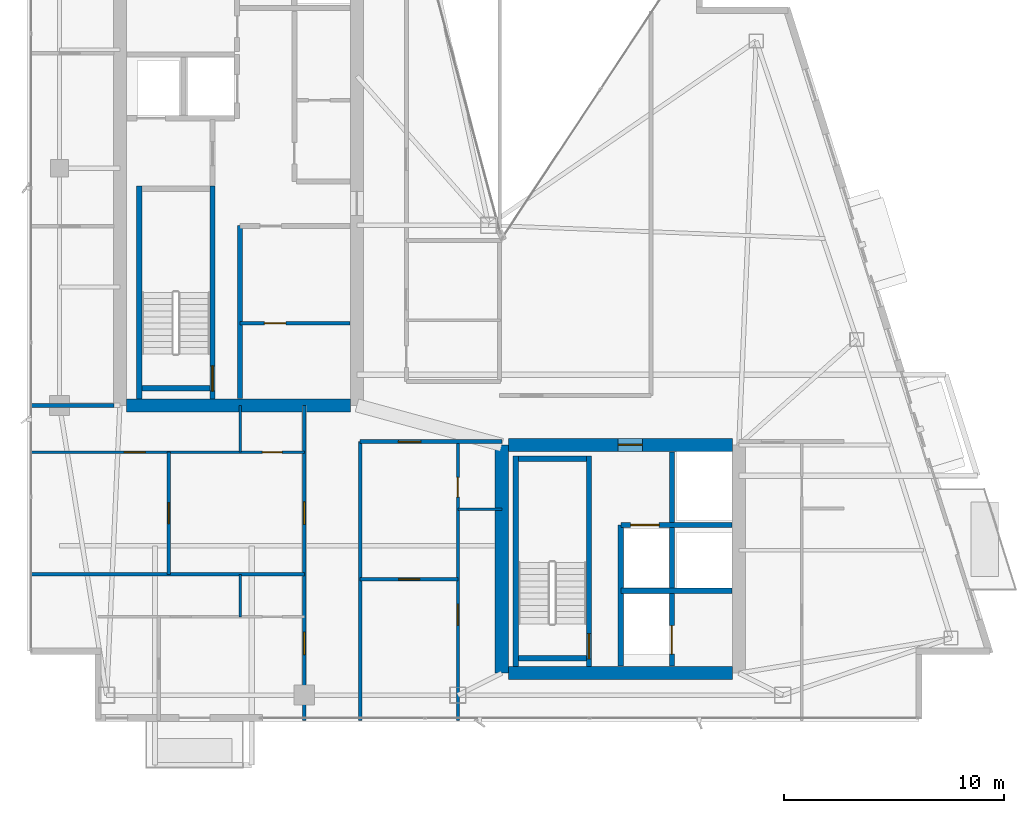
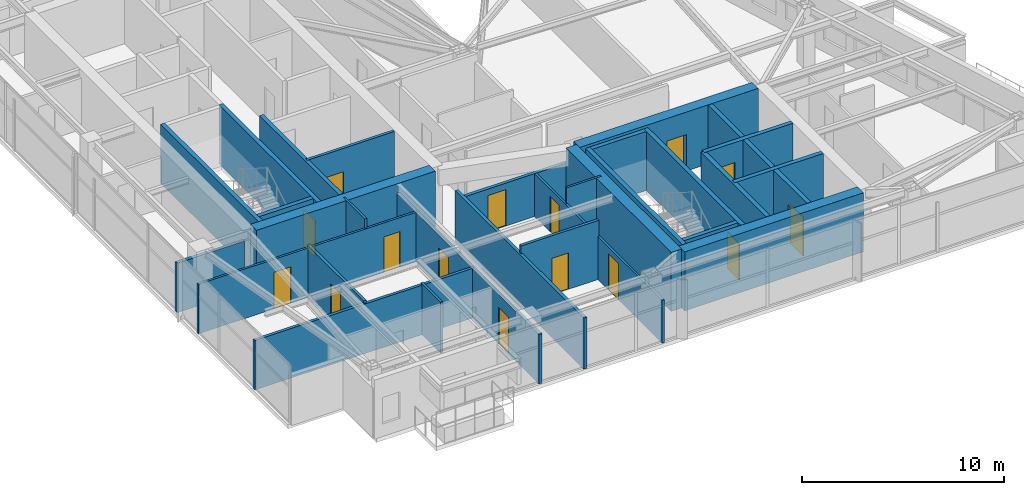
# One storey, part 23 of 28: 29 walls, 15 doors, 15 openings.
"""IFC4 building model written with IfcOpenShell, lengths in metres."""

from ifc_helpers import new_model, si_unit, direction, frame, frame_2d, origin, place, context, subcontext, project, spatial, rectangle, extrude, material, layer, layer_set, type_object, element, fill, save


model = new_model("IFC4")

# Units and contexts
model_context = context("Model", 3, precision=1e-05, world=origin(), true_north=direction((0.0, 1.0)))
body_context = subcontext(model_context, "Body", "Model", "MODEL_VIEW")
ifc_project = project(units=[si_unit("LENGTHUNIT", "METRE"), si_unit("AREAUNIT", "SQUARE_METRE"), si_unit("VOLUMEUNIT", "CUBIC_METRE"), si_unit("PLANEANGLEUNIT", "RADIAN"), si_unit("MASSUNIT", "GRAM", prefix="KILO")], contexts=[model_context])

# Site, building, storey
site_placement = place(None, origin())
site = spatial("IfcSite", under=ifc_project, at=site_placement, CompositionType="ELEMENT")
building_placement = place(site_placement, origin())
building = spatial("IfcBuilding", under=site, at=building_placement, Name="Calvorn Quay Hotel", CompositionType="ELEMENT")
storey_placement = place(building_placement, frame((0.0, 0.0, 267.300048828125)))
storey = spatial("IfcBuildingStorey", under=building, at=storey_placement, Name="L66", CompositionType="ELEMENT", Elevation=267.300048828125)

# Walls
ifc_material_1 = material(Name="Concrete C45", Category="concrete")
ifc_layer_1 = layer(ifc_material_1, 0.60009765625)
ifc_layer_set_1 = layer_set([ifc_layer_1], Name="WL-CORE-600")
wall_type_1 = type_object("IfcWallType", Name="WL-CORE-600", PredefinedType="SHEAR", material=ifc_layer_set_1)
wall_1_placement = place(storey_placement, frame((4.5, 16.800048828125, 0.0), z_axis=(0.0, 0.0, 1.0), x_axis=(1.0, 0.0, 0.0)))
element("IfcWall", 1, at=wall_1_placement, inside=storey, type_object=wall_type_1, Name="West Core Shear Wall S (L66)", PredefinedType="SHEAR", context=body_context, shape_type="SweptSolid", body=[
    extrude(rectangle(XDim=10.199951171875, YDim=0.60009765625, at=frame_2d((5.10009765625, 0.0))), origin(), (0.0, 0.0, 1.0), 3.56005859375),
])
wall_2_placement = place(storey_placement, frame((21.60009765625, 4.60009765625, 0.0), z_axis=(0.0, 0.0, 1.0), x_axis=(0.0, 1.0, 0.0)))
element("IfcWall", 2, at=wall_2_placement, inside=storey, type_object=wall_type_1, Name="East Core Shear Wall W (L66)", PredefinedType="SHEAR", context=body_context, shape_type="SweptSolid", body=[
    extrude(rectangle(XDim=10.39990234375, YDim=0.60009765625, at=frame_2d((5.199951171875, 0.0))), origin(), (0.0, 0.0, 1.0), 3.56005859375),
])

# Wall, opening, door
wall_3_placement = place(storey_placement, frame((21.89990234375, 15.0, 0.0), z_axis=(0.0, 0.0, 1.0), x_axis=(1.0, 0.0, 0.0)))
wall_3 = element("IfcWall", 3, at=wall_3_placement, inside=storey, type_object=wall_type_1, Name="East Core Shear Wall N (L66)", PredefinedType="SHEAR", context=body_context, shape_type="SweptSolid", body=[
    extrude(rectangle(XDim=10.2001953125, YDim=0.60009765625, at=frame_2d((5.10009765625, 0.0))), origin(), (0.0, 0.0, 1.0), 3.56005859375),
])
opening_1_placement = place(wall_3_placement, frame((5.0, 0.0, 0.0)))
opening_1 = element("IfcOpeningElement", 4, at=opening_1_placement, cuts=wall_3, Name="Opening D-L66-FLE", PredefinedType="OPENING", context=body_context, shape_type="SweptSolid", body=[
    extrude(rectangle(XDim=1.10009765625, YDim=2.199951171875, at=frame_2d((0.550048828125, 1.10009765625))), frame((0.0, 0.31005859375, 0.0), z_axis=(0.0, -1.0, 0.0), x_axis=(1.0, 0.0, 0.0)), (0.0, 0.0, 1.0), 0.6201171875),
])
ifc_material_2 = material(Name="Smoke-Sealed Steel Class A Fire Door", Category="steel")
door_type_1 = type_object("IfcDoorType", Name="DR-FFLOBBY-1100", OperationType="NOTDEFINED", PredefinedType="DOOR", material=ifc_material_2)
door_1_placement = place(opening_1_placement, origin())
door_1 = element("IfcDoor", 5, at=door_1_placement, inside=storey, type_object=door_type_1, Name="East Firefighting Lobby Fire Door (L66)", OperationType="SINGLE_SWING_RIGHT", OverallHeight=2.199951171875, OverallWidth=1.10009765625, PredefinedType="DOOR", context=body_context, shape_type="SweptSolid", body=[
    extrude(rectangle(XDim=1.10009765625, YDim=2.199951171875, at=frame_2d((0.550048828125, 1.10009765625))), frame((0.0, 0.02490234375, 0.0), z_axis=(0.0, -1.0, 0.0), x_axis=(1.0, 0.0, 0.0)), (0.0, 0.0, 1.0), 0.050048828125),
])
fill(opening_1, door_1)

# Walls
wall_4_placement = place(storey_placement, frame((21.89990234375, 4.60009765625, 0.0), z_axis=(0.0, 0.0, 1.0), x_axis=(1.0, 0.0, 0.0)))
element("IfcWall", 6, at=wall_4_placement, inside=storey, type_object=wall_type_1, Name="East Core Shear Wall S (L66)", PredefinedType="SHEAR", context=body_context, shape_type="SweptSolid", body=[
    extrude(rectangle(XDim=10.2001953125, YDim=0.60009765625, at=frame_2d((5.10009765625, 0.0))), origin(), (0.0, 0.0, 1.0), 3.56005859375),
])
ifc_material_3 = material(Name="Acoustic Fireboard Steel-Stud Partition", Category="steel")
ifc_layer_2 = layer(ifc_material_3, 0.179931640625)
ifc_layer_set_2 = layer_set([ifc_layer_2], Name="WL-CORR-FIRE-180")
wall_type_2 = type_object("IfcWallType", Name="WL-CORR-FIRE-180", PredefinedType="PARTITIONING", material=ifc_layer_set_2)
wall_5_placement = place(storey_placement, frame((0.080078125, 16.800048828125, 0.0), z_axis=(0.0, 0.0, 1.0), x_axis=(1.0, 0.0, 0.0)))
element("IfcWall", 7, at=wall_5_placement, inside=storey, type_object=wall_type_2, Name="Partition Wall L66-WL-WBAY-S-WALL", PredefinedType="PARTITIONING", context=body_context, shape_type="SweptSolid", body=[
    extrude(rectangle(XDim=3.849853515625, YDim=0.179931640625, at=frame_2d((1.9248046875, 0.0))), origin(), (0.0, 0.0, 1.0), 2.989990234375),
])

# Wall, openings, doors
wall_6_placement = place(storey_placement, frame((12.60009765625, 2.43994140625, 0.0), z_axis=(0.0, 0.0, 1.0), x_axis=(0.0, 1.0, 0.0)))
wall_6 = element("IfcWall", 8, at=wall_6_placement, inside=storey, type_object=wall_type_2, Name="Partition Wall L66-WL-CORR-SW-LEG-W", PredefinedType="PARTITIONING", context=body_context, shape_type="SweptSolid", body=[
    extrude(rectangle(XDim=14.360107421875, YDim=0.179931640625, at=frame_2d((7.18017578125, 0.0))), origin(), (0.0, 0.0, 1.0), 2.989990234375),
])
opening_2_placement = place(wall_6_placement, frame((3.010009765625, 0.0, 0.0)))
opening_2 = element("IfcOpeningElement", 9, at=opening_2_placement, cuts=wall_6, Name="Opening D-L66-U01", PredefinedType="OPENING", context=body_context, shape_type="SweptSolid", body=[
    extrude(rectangle(XDim=1.02001953125, YDim=2.199951171875, at=frame_2d((0.510009765625, 1.10009765625))), frame((0.0, 0.099853515625, 0.0), z_axis=(0.0, -1.0, 0.0), x_axis=(1.0, 0.0, 0.0)), (0.0, 0.0, 1.0), 0.199951171875),
])
opening_3_placement = place(wall_6_placement, frame((8.93994140625, 0.0, 0.0)))
opening_3 = element("IfcOpeningElement", 10, at=opening_3_placement, cuts=wall_6, Name="Opening D-L66-U02", PredefinedType="OPENING", context=body_context, shape_type="SweptSolid", body=[
    extrude(rectangle(XDim=1.02001953125, YDim=2.199951171875, at=frame_2d((0.510009765625, 1.10009765625))), frame((0.0, 0.099853515625, 0.0), z_axis=(0.0, -1.0, 0.0), x_axis=(1.0, 0.0, 0.0)), (0.0, 0.0, 1.0), 0.199951171875),
])
ifc_material_4 = material(Name="Solid-Core Walnut Veneer Hotel Fire Door")
door_type_2 = type_object("IfcDoorType", Name="DR-GUEST-ENTRY-1020", OperationType="NOTDEFINED", PredefinedType="DOOR", material=ifc_material_4)
door_2_placement = place(opening_2_placement, origin())
door_2 = element("IfcDoor", 11, at=door_2_placement, inside=storey, type_object=door_type_2, Name="South-West Unit Door U01 (L66)", OperationType="SINGLE_SWING_LEFT", OverallHeight=2.199951171875, OverallWidth=1.02001953125, PredefinedType="DOOR", context=body_context, shape_type="SweptSolid", body=[
    extrude(rectangle(XDim=1.02001953125, YDim=2.199951171875, at=frame_2d((0.510009765625, 1.10009765625))), frame((0.0, 0.02490234375, 0.0), z_axis=(0.0, -1.0, 0.0), x_axis=(1.0, 0.0, 0.0)), (0.0, 0.0, 1.0), 0.050048828125),
])
fill(opening_2, door_2)
door_3_placement = place(opening_3_placement, origin())
door_3 = element("IfcDoor", 12, at=door_3_placement, inside=storey, type_object=door_type_2, Name="South-West Unit Door U02 (L66)", OperationType="SINGLE_SWING_RIGHT", OverallHeight=2.199951171875, OverallWidth=1.02001953125, PredefinedType="DOOR", context=body_context, shape_type="SweptSolid", body=[
    extrude(rectangle(XDim=1.02001953125, YDim=2.199951171875, at=frame_2d((0.510009765625, 1.10009765625))), frame((0.0, 0.02490234375, 0.0), z_axis=(0.0, -1.0, 0.0), x_axis=(1.0, 0.0, 0.0)), (0.0, 0.0, 1.0), 0.050048828125),
])
fill(opening_3, door_3)

# Wall
wall_7_placement = place(storey_placement, frame((15.14990234375, 2.43994140625, 0.0), z_axis=(0.0, 0.0, 1.0), x_axis=(0.0, 1.0, 0.0)))
element("IfcWall", 13, at=wall_7_placement, inside=storey, type_object=wall_type_2, Name="Partition Wall L66-WL-CORR-SW-W", PredefinedType="PARTITIONING", context=body_context, shape_type="SweptSolid", body=[
    extrude(rectangle(XDim=12.7099609375, YDim=0.179931640625, at=frame_2d((6.35498046875, 0.0))), origin(), (0.0, 0.0, 1.0), 3.08984375),
])

# Wall, opening, door
wall_8_placement = place(storey_placement, frame((15.14990234375, 15.14990234375, 0.0), z_axis=(0.0, 0.0, 1.0), x_axis=(1.0, 0.0, 0.0)))
wall_8 = element("IfcWall", 14, at=wall_8_placement, inside=storey, type_object=wall_type_2, Name="Partition Wall L66-WL-SC-CORR-S", PredefinedType="PARTITIONING", context=body_context, shape_type="SweptSolid", body=[
    extrude(rectangle(XDim=6.4501953125, YDim=0.179931640625, at=frame_2d((3.22509765625, 0.0))), origin(), (0.0, 0.0, 1.0), 2.58984375),
])
opening_4_placement = place(wall_8_placement, frame((1.739990234375, 0.0, 0.0)))
opening_4 = element("IfcOpeningElement", 15, at=opening_4_placement, cuts=wall_8, Name="Opening D-L66-U03", PredefinedType="OPENING", context=body_context, shape_type="SweptSolid", body=[
    extrude(rectangle(XDim=1.02001953125, YDim=2.199951171875, at=frame_2d((0.510009765625, 1.10009765625))), frame((0.0, 0.099853515625, 0.0), z_axis=(0.0, -1.0, 0.0), x_axis=(1.0, 0.0, 0.0)), (0.0, 0.0, 1.0), 0.199951171875),
])
door_4_placement = place(opening_4_placement, origin())
door_4 = element("IfcDoor", 16, at=door_4_placement, inside=storey, type_object=door_type_2, Name="Harbour Central Unit Door (L66)", OperationType="SINGLE_SWING_LEFT", OverallHeight=2.199951171875, OverallWidth=1.02001953125, PredefinedType="DOOR", context=body_context, shape_type="SweptSolid", body=[
    extrude(rectangle(XDim=1.02001953125, YDim=2.199951171875, at=frame_2d((0.510009765625, 1.10009765625))), frame((0.0, 0.02490234375, 0.0), z_axis=(0.0, -1.0, 0.0), x_axis=(1.0, 0.0, 0.0)), (0.0, 0.0, 1.0), 0.050048828125),
])
fill(opening_4, door_4)

# Walls
ifc_material_5 = material(Name="Moisture-Resistant Tile-Backed Partition")
ifc_layer_3 = layer(ifc_material_5, 0.125)
ifc_layer_set_3 = layer_set([ifc_layer_3], Name="WL-ENSUITE-125")
wall_type_3 = type_object("IfcWallType", Name="WL-ENSUITE-125", PredefinedType="PARTITIONING", material=ifc_layer_set_3)
wall_9_placement = place(storey_placement, frame((9.679931640625, 7.169921875, 0.0), z_axis=(0.0, 0.0, 1.0), x_axis=(0.0, 1.0, 0.0)))
element("IfcWall", 17, at=wall_9_placement, inside=storey, type_object=wall_type_3, Name="Partition Wall L66-WL-U01-BDV", PredefinedType="PARTITIONING", context=body_context, shape_type="SweptSolid", body=[
    extrude(rectangle(XDim=1.93017578125, YDim=0.125, at=frame_2d((0.965087890625, 0.0))), origin(), (0.0, 0.0, 1.0), 3.08984375),
])
wall_10_placement = place(storey_placement, frame((9.679931640625, 14.669921875, 0.0), z_axis=(0.0, 0.0, 1.0), x_axis=(0.0, 1.0, 0.0)))
element("IfcWall", 18, at=wall_10_placement, inside=storey, type_object=wall_type_3, Name="Partition Wall L66-WL-U02-BDV", PredefinedType="PARTITIONING", context=body_context, shape_type="SweptSolid", body=[
    extrude(rectangle(XDim=2.130126953125, YDim=0.125, at=frame_2d((1.06494140625, 0.0))), origin(), (0.0, 0.0, 1.0), 3.56005859375),
])

# Wall, openings, doors
wall_11_placement = place(storey_placement, frame((0.080078125, 14.669921875, 0.0), z_axis=(0.0, 0.0, 1.0), x_axis=(1.0, 0.0, 0.0)))
wall_11 = element("IfcWall", 19, at=wall_11_placement, inside=storey, type_object=wall_type_3, Name="Partition Wall L66-WL-U02-BH", PredefinedType="PARTITIONING", context=body_context, shape_type="SweptSolid", body=[
    extrude(rectangle(XDim=12.52001953125, YDim=0.125, at=frame_2d((6.260009765625, 0.0))), origin(), (0.0, 0.0, 1.0), 2.989990234375),
])
opening_5_placement = place(wall_11_placement, frame((4.320068359375, 0.0, 0.0)))
opening_5 = element("IfcOpeningElement", 20, at=opening_5_placement, cuts=wall_11, Name="Opening D-L66-S02", PredefinedType="OPENING", context=body_context, shape_type="SweptSolid", body=[
    extrude(rectangle(XDim=0.9599609375, YDim=2.199951171875, at=frame_2d((0.47998046875, 1.10009765625))), frame((0.0, 0.072509765625, 0.0), z_axis=(0.0, -1.0, 0.0), x_axis=(1.0, 0.0, 0.0)), (0.0, 0.0, 1.0), 0.14501953125),
])
opening_6_placement = place(wall_11_placement, frame((10.610107421875, 0.0, 0.0)))
opening_6 = element("IfcOpeningElement", 21, at=opening_6_placement, cuts=wall_11, Name="Opening D-L66-E02", PredefinedType="OPENING", context=body_context, shape_type="SweptSolid", body=[
    extrude(rectangle(XDim=0.89990234375, YDim=2.14990234375, at=frame_2d((0.449951171875, 1.074951171875))), frame((0.0, 0.072509765625, 0.0), z_axis=(0.0, -1.0, 0.0), x_axis=(1.0, 0.0, 0.0)), (0.0, 0.0, 1.0), 0.14501953125),
])
ifc_material_6 = material(Name="Moisture-Sealed Timber En-Suite Door", Category="wood")
door_type_3 = type_object("IfcDoorType", Name="DR-ENSUITE-900", OperationType="NOTDEFINED", PredefinedType="DOOR", material=ifc_material_6)
door_5_placement = place(opening_6_placement, origin())
door_5 = element("IfcDoor", 22, at=door_5_placement, inside=storey, type_object=door_type_3, Name="En-Suite Door 02", OperationType="SINGLE_SWING_RIGHT", OverallHeight=2.14990234375, OverallWidth=0.89990234375, PredefinedType="DOOR", context=body_context, shape_type="SweptSolid", body=[
    extrude(rectangle(XDim=0.89990234375, YDim=2.14990234375, at=frame_2d((0.449951171875, 1.074951171875))), frame((0.0, 0.02490234375, 0.0), z_axis=(0.0, -1.0, 0.0), x_axis=(1.0, 0.0, 0.0)), (0.0, 0.0, 1.0), 0.050048828125),
])
fill(opening_6, door_5)
ifc_material_7 = material(Name="Solid Timber Internal Suite Door", Category="wood")
door_type_4 = type_object("IfcDoorType", Name="DR-SUITE-INT-960", OperationType="NOTDEFINED", PredefinedType="DOOR", material=ifc_material_7)
door_6_placement = place(opening_5_placement, origin())
door_6 = element("IfcDoor", 23, at=door_6_placement, inside=storey, type_object=door_type_4, Name="Harbour Dining Den Door 02", OperationType="SINGLE_SWING_LEFT", OverallHeight=2.199951171875, OverallWidth=0.9599609375, PredefinedType="DOOR", context=body_context, shape_type="SweptSolid", body=[
    extrude(rectangle(XDim=0.9599609375, YDim=2.199951171875, at=frame_2d((0.47998046875, 1.10009765625))), frame((0.0, 0.02490234375, 0.0), z_axis=(0.0, -1.0, 0.0), x_axis=(1.0, 0.0, 0.0)), (0.0, 0.0, 1.0), 0.050048828125),
])
fill(opening_5, door_6)

# Wall
wall_12_placement = place(storey_placement, frame((19.60009765625, 12.070068359375, 0.0), z_axis=(0.0, 0.0, 1.0), x_axis=(1.0, 0.0, 0.0)))
element("IfcWall", 24, at=wall_12_placement, inside=storey, type_object=wall_type_3, Name="Partition Wall L66-WL-U03-BDV", PredefinedType="PARTITIONING", context=body_context, shape_type="SweptSolid", body=[
    extrude(rectangle(XDim=2.0, YDim=0.125, at=frame_2d((1.0, 0.0))), origin(), (0.0, 0.0, 1.0), 3.56005859375),
])

# Wall, openings, doors
wall_13_placement = place(storey_placement, frame((19.60009765625, 2.43994140625, 0.0), z_axis=(0.0, 0.0, 1.0), x_axis=(0.0, 1.0, 0.0)))
wall_13 = element("IfcWall", 25, at=wall_13_placement, inside=storey, type_object=wall_type_3, Name="Partition Wall L66-WL-U03-BV", PredefinedType="PARTITIONING", context=body_context, shape_type="SweptSolid", body=[
    extrude(rectangle(XDim=12.7099609375, YDim=0.125, at=frame_2d((6.35498046875, 0.0))), origin(), (0.0, 0.0, 1.0), 2.58984375),
])
opening_7_placement = place(wall_13_placement, frame((4.340087890625, 0.0, 0.0)))
opening_7 = element("IfcOpeningElement", 26, at=opening_7_placement, cuts=wall_13, Name="Opening D-L66-S03", PredefinedType="OPENING", context=body_context, shape_type="SweptSolid", body=[
    extrude(rectangle(XDim=0.9599609375, YDim=2.199951171875, at=frame_2d((0.47998046875, 1.10009765625))), frame((0.0, 0.072509765625, 0.0), z_axis=(0.0, -1.0, 0.0), x_axis=(1.0, 0.0, 0.0)), (0.0, 0.0, 1.0), 0.14501953125),
])
opening_8_placement = place(wall_13_placement, frame((10.179931640625, 0.0, 0.0)))
opening_8 = element("IfcOpeningElement", 27, at=opening_8_placement, cuts=wall_13, Name="Opening D-L66-E03", PredefinedType="OPENING", context=body_context, shape_type="SweptSolid", body=[
    extrude(rectangle(XDim=0.89990234375, YDim=2.14990234375, at=frame_2d((0.449951171875, 1.074951171875))), frame((0.0, 0.072509765625, 0.0), z_axis=(0.0, -1.0, 0.0), x_axis=(1.0, 0.0, 0.0)), (0.0, 0.0, 1.0), 0.14501953125),
])
door_7_placement = place(opening_8_placement, origin())
door_7 = element("IfcDoor", 28, at=door_7_placement, inside=storey, type_object=door_type_3, Name="En-Suite Door 03", OperationType="SINGLE_SWING_RIGHT", OverallHeight=2.14990234375, OverallWidth=0.89990234375, PredefinedType="DOOR", context=body_context, shape_type="SweptSolid", body=[
    extrude(rectangle(XDim=0.89990234375, YDim=2.14990234375, at=frame_2d((0.449951171875, 1.074951171875))), frame((0.0, 0.02490234375, 0.0), z_axis=(0.0, -1.0, 0.0), x_axis=(1.0, 0.0, 0.0)), (0.0, 0.0, 1.0), 0.050048828125),
])
fill(opening_8, door_7)
door_8_placement = place(opening_7_placement, origin())
door_8 = element("IfcDoor", 29, at=door_8_placement, inside=storey, type_object=door_type_4, Name="Harbour Dining Den Door 03", OperationType="SINGLE_SWING_LEFT", OverallHeight=2.199951171875, OverallWidth=0.9599609375, PredefinedType="DOOR", context=body_context, shape_type="SweptSolid", body=[
    extrude(rectangle(XDim=0.9599609375, YDim=2.199951171875, at=frame_2d((0.47998046875, 1.10009765625))), frame((0.0, 0.02490234375, 0.0), z_axis=(0.0, -1.0, 0.0), x_axis=(1.0, 0.0, 0.0)), (0.0, 0.0, 1.0), 0.050048828125),
])
fill(opening_7, door_8)

# Wall, opening, door
ifc_material_8 = material(Name="Double-Stud Acoustic Gypsum Partition")
ifc_layer_4 = layer(ifc_material_8, 0.159912109375)
ifc_layer_set_4 = layer_set([ifc_layer_4], Name="WL-INTERSUITE-160")
wall_type_4 = type_object("IfcWallType", Name="WL-INTERSUITE-160", PredefinedType="PARTITIONING", material=ifc_layer_set_4)
wall_14_placement = place(storey_placement, frame((9.679931640625, 20.550048828125, 0.0), z_axis=(0.0, 0.0, 1.0), x_axis=(1.0, 0.0, 0.0)))
wall_14 = element("IfcWall", 30, at=wall_14_placement, inside=storey, type_object=wall_type_4, Name="Partition Wall L66-WL-CWW-FR-SPLIT", PredefinedType="PARTITIONING", context=body_context, shape_type="SweptSolid", body=[
    extrude(rectangle(XDim=5.0, YDim=0.159912109375, at=frame_2d((2.5, 0.0))), origin(), (0.0, 0.0, 1.0), 3.56005859375),
])
opening_9_placement = place(wall_14_placement, frame((1.10009765625, 0.0, 0.0)))
opening_9 = element("IfcOpeningElement", 31, at=opening_9_placement, cuts=wall_14, Name="Opening D-L66-FRL1", PredefinedType="OPENING", context=body_context, shape_type="SweptSolid", body=[
    extrude(rectangle(XDim=0.97998046875, YDim=2.14990234375, at=frame_2d((0.489990234375, 1.074951171875))), frame((0.0, 0.08984375, 0.0), z_axis=(0.0, -1.0, 0.0), x_axis=(1.0, 0.0, 0.0)), (0.0, 0.0, 1.0), 0.179931640625),
])
ifc_material_9 = material(Name="Painted Steel Housekeeping/Riser Fire Door", Category="steel")
door_type_5 = type_object("IfcDoorType", Name="DR-SERVICE-980", OperationType="NOTDEFINED", PredefinedType="DOOR", material=ifc_material_9)
door_9_placement = place(opening_9_placement, origin())
door_9 = element("IfcDoor", 32, at=door_9_placement, inside=storey, type_object=door_type_5, Name="Linen Store Room Door (L66)", OperationType="SINGLE_SWING_LEFT", OverallHeight=2.14990234375, OverallWidth=0.97998046875, PredefinedType="DOOR", context=body_context, shape_type="SweptSolid", body=[
    extrude(rectangle(XDim=0.97998046875, YDim=2.14990234375, at=frame_2d((0.489990234375, 1.074951171875))), frame((0.0, 0.02490234375, 0.0), z_axis=(0.0, -1.0, 0.0), x_axis=(1.0, 0.0, 0.0)), (0.0, 0.0, 1.0), 0.050048828125),
])
fill(opening_9, door_9)

wall_15_placement = place(storey_placement, frame((6.419921875, 9.10009765625, 0.0), z_axis=(0.0, 0.0, 1.0), x_axis=(0.0, 1.0, 0.0)))
wall_15 = element("IfcWall", 33, at=wall_15_placement, inside=storey, type_object=wall_type_4, Name="Partition Wall L66-WL-U02-MSP", PredefinedType="PARTITIONING", context=body_context, shape_type="SweptSolid", body=[
    extrude(rectangle(XDim=5.56982421875, YDim=0.159912109375, at=frame_2d((2.784912109375, 0.0))), origin(), (0.0, 0.0, 1.0), 3.139892578125),
])
opening_10_placement = place(wall_15_placement, frame((2.31005859375, 0.0, 0.0)))
opening_10 = element("IfcOpeningElement", 34, at=opening_10_placement, cuts=wall_15, Name="Opening D-L66-M02", PredefinedType="OPENING", context=body_context, shape_type="SweptSolid", body=[
    extrude(rectangle(XDim=0.9599609375, YDim=2.199951171875, at=frame_2d((0.47998046875, 1.10009765625))), frame((0.0, 0.08984375, 0.0), z_axis=(0.0, -1.0, 0.0), x_axis=(1.0, 0.0, 0.0)), (0.0, 0.0, 1.0), 0.179931640625),
])
door_10_placement = place(opening_10_placement, origin())
door_10 = element("IfcDoor", 35, at=door_10_placement, inside=storey, type_object=door_type_4, Name="Suite Bedroom Door 02", OperationType="SINGLE_SWING_LEFT", OverallHeight=2.199951171875, OverallWidth=0.9599609375, PredefinedType="DOOR", context=body_context, shape_type="SweptSolid", body=[
    extrude(rectangle(XDim=0.9599609375, YDim=2.199951171875, at=frame_2d((0.47998046875, 1.10009765625))), frame((0.0, 0.02490234375, 0.0), z_axis=(0.0, -1.0, 0.0), x_axis=(1.0, 0.0, 0.0)), (0.0, 0.0, 1.0), 0.050048828125),
])
fill(opening_10, door_10)

# Wall
wall_16_placement = place(storey_placement, frame((0.080078125, 9.10009765625, 0.0), z_axis=(0.0, 0.0, 1.0), x_axis=(1.0, 0.0, 0.0)))
element("IfcWall", 36, at=wall_16_placement, inside=storey, type_object=wall_type_4, Name="Partition Wall L66-WL-SW-DIV-1", PredefinedType="PARTITIONING", context=body_context, shape_type="SweptSolid", body=[
    extrude(rectangle(XDim=12.52001953125, YDim=0.159912109375, at=frame_2d((6.260009765625, 0.0))), origin(), (0.0, 0.0, 1.0), 2.989990234375),
])

# Wall, opening, door
wall_17_placement = place(storey_placement, frame((15.14990234375, 8.8701171875, 0.0), z_axis=(0.0, 0.0, 1.0), x_axis=(1.0, 0.0, 0.0)))
wall_17 = element("IfcWall", 37, at=wall_17_placement, inside=storey, type_object=wall_type_4, Name="Partition Wall L66-WL-U03-MSP", PredefinedType="PARTITIONING", context=body_context, shape_type="SweptSolid", body=[
    extrude(rectangle(XDim=4.4501953125, YDim=0.159912109375, at=frame_2d((2.22509765625, 0.0))), origin(), (0.0, 0.0, 1.0), 3.56005859375),
])
opening_11_placement = place(wall_17_placement, frame((1.75, 0.0, 0.0)))
opening_11 = element("IfcOpeningElement", 38, at=opening_11_placement, cuts=wall_17, Name="Opening D-L66-M03", PredefinedType="OPENING", context=body_context, shape_type="SweptSolid", body=[
    extrude(rectangle(XDim=0.9599609375, YDim=2.199951171875, at=frame_2d((0.47998046875, 1.10009765625))), frame((0.0, 0.08984375, 0.0), z_axis=(0.0, -1.0, 0.0), x_axis=(1.0, 0.0, 0.0)), (0.0, 0.0, 1.0), 0.179931640625),
])
door_11_placement = place(opening_11_placement, origin())
door_11 = element("IfcDoor", 39, at=door_11_placement, inside=storey, type_object=door_type_4, Name="Suite Bedroom Door 03", OperationType="SINGLE_SWING_LEFT", OverallHeight=2.199951171875, OverallWidth=0.9599609375, PredefinedType="DOOR", context=body_context, shape_type="SweptSolid", body=[
    extrude(rectangle(XDim=0.9599609375, YDim=2.199951171875, at=frame_2d((0.47998046875, 1.10009765625))), frame((0.0, 0.02490234375, 0.0), z_axis=(0.0, -1.0, 0.0), x_axis=(1.0, 0.0, 0.0)), (0.0, 0.0, 1.0), 0.050048828125),
])
fill(opening_11, door_11)

# Walls
ifc_material_10 = material(Name="Autoclaved Aerated Masonry Block", Category="masonry")
ifc_layer_5 = layer(ifc_material_10, 0.219970703125)
ifc_layer_set_5 = layer_set([ifc_layer_5], Name="WL-LOBBY-FIRE-220")
wall_type_5 = type_object("IfcWallType", Name="WL-LOBBY-FIRE-220", PredefinedType="SOLIDWALL", material=ifc_layer_set_5)
wall_18_placement = place(storey_placement, frame((9.679931640625, 17.1201171875, 0.0), z_axis=(0.0, 0.0, 1.0), x_axis=(0.0, 1.0, 0.0)))
element("IfcWall", 40, at=wall_18_placement, inside=storey, type_object=wall_type_5, Name="Partition Wall L66-WL-CWW-STW-HALL-E", PredefinedType="SOLIDWALL", context=body_context, shape_type="SweptSolid", body=[
    extrude(rectangle(XDim=7.8798828125, YDim=0.219970703125, at=frame_2d((3.93994140625, 0.0))), origin(), (0.0, 0.0, 1.0), 3.56005859375),
])
ifc_material_11 = material(Name="Concrete C40", Category="concrete")
ifc_layer_6 = layer(ifc_material_11, 0.239990234375)
ifc_layer_set_6 = layer_set([ifc_layer_6], Name="WL-SHAFT-240")
wall_type_6 = type_object("IfcWallType", Name="WL-SHAFT-240", PredefinedType="SOLIDWALL", material=ifc_layer_set_6)
wall_19_placement = place(storey_placement, frame((5.080078125, 17.10009765625, 0.0), z_axis=(0.0, 0.0, 1.0), x_axis=(0.0, 1.0, 0.0)))
element("IfcWall", 41, at=wall_19_placement, inside=storey, type_object=wall_type_6, Name="Stair STW Shaft Wall W (L66)", PredefinedType="SOLIDWALL", context=body_context, shape_type="SweptSolid", body=[
    extrude(rectangle(XDim=9.68994140625, YDim=0.239990234375, at=frame_2d((4.844970703125, 0.0))), origin(), (0.0, 0.0, 1.0), 3.56005859375),
])

# Wall, opening, door
wall_20_placement = place(storey_placement, frame((8.419921875, 17.10009765625, 0.0), z_axis=(0.0, 0.0, 1.0), x_axis=(0.0, 1.0, 0.0)))
wall_20 = element("IfcWall", 42, at=wall_20_placement, inside=storey, type_object=wall_type_6, Name="Stair STW Shaft Wall E (L66)", PredefinedType="SOLIDWALL", context=body_context, shape_type="SweptSolid", body=[
    extrude(rectangle(XDim=9.68994140625, YDim=0.239990234375, at=frame_2d((4.844970703125, 0.0))), origin(), (0.0, 0.0, 1.0), 3.56005859375),
])
opening_12_placement = place(wall_20_placement, frame((0.35009765625, 0.0, 0.0)))
opening_12 = element("IfcOpeningElement", 43, at=opening_12_placement, cuts=wall_20, Name="Opening D-L66-STW", PredefinedType="OPENING", context=body_context, shape_type="SweptSolid", body=[
    extrude(rectangle(XDim=1.14990234375, YDim=2.199951171875, at=frame_2d((0.574951171875, 1.10009765625))), frame((0.0, 0.1298828125, 0.0), z_axis=(0.0, -1.0, 0.0), x_axis=(1.0, 0.0, 0.0)), (0.0, 0.0, 1.0), 0.260009765625),
])
ifc_material_12 = material(Name="Galvanised Steel Class A Fire Door", Category="steel")
door_type_6 = type_object("IfcDoorType", Name="DR-STAIR-SMOKE-1150", OperationType="NOTDEFINED", PredefinedType="DOOR", material=ifc_material_12)
door_12_placement = place(opening_12_placement, origin())
door_12 = element("IfcDoor", 44, at=door_12_placement, inside=storey, type_object=door_type_6, Name="Stair ST-W Fire Door (L66)", OperationType="SINGLE_SWING_LEFT", OverallHeight=2.199951171875, OverallWidth=1.14990234375, PredefinedType="DOOR", context=body_context, shape_type="SweptSolid", body=[
    extrude(rectangle(XDim=1.14990234375, YDim=2.199951171875, at=frame_2d((0.574951171875, 1.10009765625))), frame((0.0, 0.02490234375, 0.0), z_axis=(0.0, -1.0, 0.0), x_axis=(1.0, 0.0, 0.0)), (0.0, 0.0, 1.0), 0.050048828125),
])
fill(opening_12, door_12)

# Walls
wall_21_placement = place(storey_placement, frame((5.199951171875, 17.580078125, 0.0), z_axis=(0.0, 0.0, 1.0), x_axis=(1.0, 0.0, 0.0)))
element("IfcWall", 45, at=wall_21_placement, inside=storey, type_object=wall_type_6, Name="Stair STW Shaft Wall S (L66)", PredefinedType="SOLIDWALL", context=body_context, shape_type="SweptSolid", body=[
    extrude(rectangle(XDim=3.10009765625, YDim=0.239990234375, at=frame_2d((1.550048828125, 0.0))), origin(), (0.0, 0.0, 1.0), 3.56005859375),
])
wall_22_placement = place(storey_placement, frame((22.22998046875, 4.89990234375, 0.0), z_axis=(0.0, 0.0, 1.0), x_axis=(0.0, 1.0, 0.0)))
element("IfcWall", 46, at=wall_22_placement, inside=storey, type_object=wall_type_6, Name="Stair STE Shaft Wall W (L66)", PredefinedType="SOLIDWALL", context=body_context, shape_type="SweptSolid", body=[
    extrude(rectangle(XDim=9.590087890625, YDim=0.239990234375, at=frame_2d((4.794921875, 0.0))), origin(), (0.0, 0.0, 1.0), 3.56005859375),
])

# Wall, opening, door
wall_23_placement = place(storey_placement, frame((25.570068359375, 4.89990234375, 0.0), z_axis=(0.0, 0.0, 1.0), x_axis=(0.0, 1.0, 0.0)))
wall_23 = element("IfcWall", 47, at=wall_23_placement, inside=storey, type_object=wall_type_6, Name="Stair STE Shaft Wall E (L66)", PredefinedType="SOLIDWALL", context=body_context, shape_type="SweptSolid", body=[
    extrude(rectangle(XDim=9.590087890625, YDim=0.239990234375, at=frame_2d((4.794921875, 0.0))), origin(), (0.0, 0.0, 1.0), 3.56005859375),
])
opening_13_placement = place(wall_23_placement, frame((0.35009765625, 0.0, 0.0)))
opening_13 = element("IfcOpeningElement", 48, at=opening_13_placement, cuts=wall_23, Name="Opening D-L66-STE", PredefinedType="OPENING", context=body_context, shape_type="SweptSolid", body=[
    extrude(rectangle(XDim=1.14990234375, YDim=2.199951171875, at=frame_2d((0.574951171875, 1.10009765625))), frame((0.0, 0.1298828125, 0.0), z_axis=(0.0, -1.0, 0.0), x_axis=(1.0, 0.0, 0.0)), (0.0, 0.0, 1.0), 0.260009765625),
])
door_13_placement = place(opening_13_placement, origin())
door_13 = element("IfcDoor", 49, at=door_13_placement, inside=storey, type_object=door_type_6, Name="Stair ST-E Fire Door (L66)", OperationType="SINGLE_SWING_RIGHT", OverallHeight=2.199951171875, OverallWidth=1.14990234375, PredefinedType="DOOR", context=body_context, shape_type="SweptSolid", body=[
    extrude(rectangle(XDim=1.14990234375, YDim=2.199951171875, at=frame_2d((0.574951171875, 1.10009765625))), frame((0.0, 0.02490234375, 0.0), z_axis=(0.0, -1.0, 0.0), x_axis=(1.0, 0.0, 0.0)), (0.0, 0.0, 1.0), 0.050048828125),
])
fill(opening_13, door_13)

# Walls
for number, where, z_axis, x_axis, name in (
    (50, (22.35009765625, 5.280029296875, 0.0), (0.0, 0.0, 1.0), (1.0, 0.0, 0.0), "Stair STE Shaft Wall S (L66)"),
    (51, (22.35009765625, 14.3701171875, 0.0), (0.0, 0.0, 1.0), (1.0, 0.0, 0.0), "Stair STE Shaft Wall N (L66)"),
):
    element("IfcWall", number, at=place(storey_placement, frame(where, z_axis=z_axis, x_axis=x_axis)), inside=storey, type_object=wall_type_6, Name=name, PredefinedType="SOLIDWALL", context=body_context, shape_type="SweptSolid", body=[
        extrude(rectangle(XDim=3.099853515625, YDim=0.239990234375, at=frame_2d((1.5498046875, 0.0))), origin(), (0.0, 0.0, 1.0), 3.56005859375),
    ])
wall_24_placement = place(storey_placement, frame((27.02001953125, 4.919921875, 0.0), z_axis=(0.0, 0.0, 1.0), x_axis=(0.0, 1.0, 0.0)))
element("IfcWall", 52, at=wall_24_placement, inside=storey, type_object=wall_type_6, Name="Partition Wall L66-WL-CWE-SH-W", PredefinedType="SOLIDWALL", context=body_context, shape_type="SweptSolid", body=[
    extrude(rectangle(XDim=6.43017578125, YDim=0.239990234375, at=frame_2d((3.215087890625, 0.0))), origin(), (0.0, 0.0, 1.0), 3.56005859375),
])

# Wall, opening, door
wall_25_placement = place(storey_placement, frame((27.02001953125, 11.35009765625, 0.0), z_axis=(0.0, 0.0, 1.0), x_axis=(1.0, 0.0, 0.0)))
wall_25 = element("IfcWall", 53, at=wall_25_placement, inside=storey, type_object=wall_type_6, Name="Partition Wall L66-WL-CWE-FFL-S", PredefinedType="SOLIDWALL", context=body_context, shape_type="SweptSolid", body=[
    extrude(rectangle(XDim=5.06005859375, YDim=0.239990234375, at=frame_2d((2.530029296875, 0.0))), origin(), (0.0, 0.0, 1.0), 3.56005859375),
])
opening_14_placement = place(wall_25_placement, frame((0.449951171875, 0.0, 0.0)))
opening_14 = element("IfcOpeningElement", 54, at=opening_14_placement, cuts=wall_25, Name="Opening LD-L66-FLE1", PredefinedType="OPENING", context=body_context, shape_type="SweptSolid", body=[
    extrude(rectangle(XDim=1.300048828125, YDim=2.35009765625, at=frame_2d((0.64990234375, 1.175048828125))), frame((0.0, 0.1298828125, 0.0), z_axis=(0.0, -1.0, 0.0), x_axis=(1.0, 0.0, 0.0)), (0.0, 0.0, 1.0), 0.260009765625),
])
ifc_material_13 = material(Name="Champagne-Bronze Sliding Express Lift Landing Door")
door_type_7 = type_object("IfcDoorType", Name="DR-LIFT-SHUTTLE-1300", OperationType="NOTDEFINED", PredefinedType="DOOR", material=ifc_material_13)
door_14_placement = place(opening_14_placement, origin())
door_14 = element("IfcDoor", 55, at=door_14_placement, inside=storey, type_object=door_type_7, Name="Firefighting Lift FL-E1 Landing Door (L66)", OperationType="DOUBLE_DOOR_SLIDING", OverallHeight=2.35009765625, OverallWidth=1.300048828125, PredefinedType="DOOR", context=body_context, shape_type="SweptSolid", body=[
    extrude(rectangle(XDim=1.300048828125, YDim=2.35009765625, at=frame_2d((0.64990234375, 1.175048828125))), frame((0.0, 0.02490234375, 0.0), z_axis=(0.0, -1.0, 0.0), x_axis=(1.0, 0.0, 0.0)), (0.0, 0.0, 1.0), 0.050048828125),
])
fill(opening_14, door_14)

# Wall
wall_26_placement = place(storey_placement, frame((27.02001953125, 8.35009765625, 0.0), z_axis=(0.0, 0.0, 1.0), x_axis=(1.0, 0.0, 0.0)))
element("IfcWall", 56, at=wall_26_placement, inside=storey, type_object=wall_type_6, Name="Partition Wall L66-WL-CWE-SL-N", PredefinedType="SOLIDWALL", context=body_context, shape_type="SweptSolid", body=[
    extrude(rectangle(XDim=5.06005859375, YDim=0.239990234375, at=frame_2d((2.530029296875, 0.0))), origin(), (0.0, 0.0, 1.0), 3.56005859375),
])

# Wall, opening, door
wall_27_placement = place(storey_placement, frame((29.35009765625, 4.919921875, 0.0), z_axis=(0.0, 0.0, 1.0), x_axis=(0.0, 1.0, 0.0)))
wall_27 = element("IfcWall", 57, at=wall_27_placement, inside=storey, type_object=wall_type_6, Name="Partition Wall L66-WL-CWE-OB-W", PredefinedType="SOLIDWALL", context=body_context, shape_type="SweptSolid", body=[
    extrude(rectangle(XDim=9.760009765625, YDim=0.239990234375, at=frame_2d((4.8798828125, 0.0))), origin(), (0.0, 0.0, 1.0), 3.56005859375),
])
opening_15_placement = place(wall_27_placement, frame((0.550048828125, 0.0, 0.0)))
opening_15 = element("IfcOpeningElement", 58, at=opening_15_placement, cuts=wall_27, Name="Opening LD-L66-SLEI", PredefinedType="OPENING", context=body_context, shape_type="SweptSolid", body=[
    extrude(rectangle(XDim=1.300048828125, YDim=2.35009765625, at=frame_2d((0.64990234375, 1.175048828125))), frame((0.0, 0.1298828125, 0.0), z_axis=(0.0, -1.0, 0.0), x_axis=(1.0, 0.0, 0.0)), (0.0, 0.0, 1.0), 0.260009765625),
])
door_15_placement = place(opening_15_placement, origin())
door_15 = element("IfcDoor", 59, at=door_15_placement, inside=storey, type_object=door_type_7, Name="Service Lift SL-E1 Landing Door (L66)", OperationType="DOUBLE_DOOR_SLIDING", OverallHeight=2.35009765625, OverallWidth=1.300048828125, PredefinedType="DOOR", context=body_context, shape_type="SweptSolid", body=[
    extrude(rectangle(XDim=1.300048828125, YDim=2.35009765625, at=frame_2d((0.64990234375, 1.175048828125))), frame((0.0, 0.02490234375, 0.0), z_axis=(0.0, -1.0, 0.0), x_axis=(1.0, 0.0, 0.0)), (0.0, 0.0, 1.0), 0.050048828125),
])
fill(opening_15, door_15)

save(model, "model.ifc")
